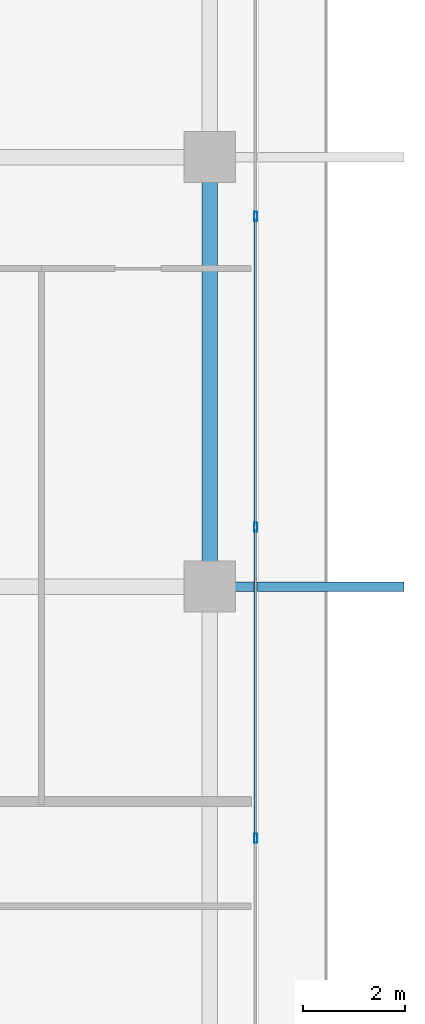
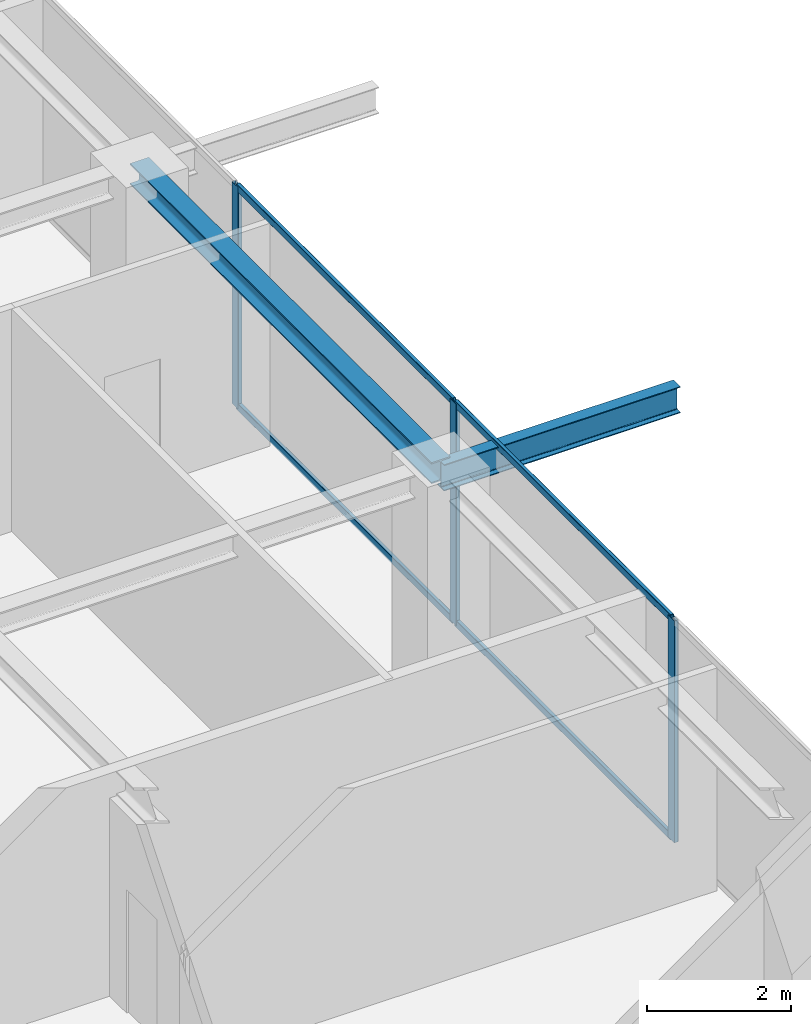
# One storey, part 14 of 37: 7 members, 2 beams, 1 element without a shape of its own.
"""IFC4 building model written with IfcOpenShell, lengths in metres."""

from ifc_helpers import new_model, si_unit, direction, frame, origin, origin_2d, place, context, subcontext, project, spatial, hollow_rectangle, i_section, extrude, source, transform, mapped, material, layer, layer_set, material_profile, profile_set, type_object, element, aggregate, save


model = new_model("IFC4")

# Units and contexts
model_context = context("Model", 3, precision=1e-05, world=origin(), true_north=direction((0.0, 1.0)))
body_context = subcontext(model_context, "Body", "Model", "MODEL_VIEW")
ifc_project = project(units=[si_unit("LENGTHUNIT", "METRE"), si_unit("AREAUNIT", "SQUARE_METRE"), si_unit("VOLUMEUNIT", "CUBIC_METRE"), si_unit("PLANEANGLEUNIT", "RADIAN"), si_unit("MASSUNIT", "GRAM", prefix="KILO")], contexts=[model_context])

# Site, building, storey
site_placement = place(None, origin())
site = spatial("IfcSite", under=ifc_project, at=site_placement, CompositionType="ELEMENT")
building_placement = place(site_placement, origin())
building = spatial("IfcBuilding", under=site, at=building_placement, Name="Serunith Strait Residences", CompositionType="ELEMENT")
storey_placement = place(building_placement, frame((0.0, 0.0, 305.60009765625)))
storey = spatial("IfcBuildingStorey", under=building, at=storey_placement, Name="L76", CompositionType="ELEMENT", Elevation=305.60009765625)

# Beams
ifc_material_1 = material(Name="Steel S355J2", Category="steel")
ifc_material_profile_1 = material_profile(ifc_material_1, i_section(OverallWidth=0.300048828125, OverallDepth=0.360107421875, WebThickness=0.012451171875, FlangeThickness=0.0224609375, FilletRadius=0.027099609375, at=origin_2d()), Name="HEB 360")
ifc_profile_set_1 = profile_set([ifc_material_profile_1], Name="Steel S355J2")
beam_type_1 = type_object("IfcBeamType", Name="BM-HEB360", PredefinedType="BEAM", material=ifc_profile_set_1)
shared_shape_1 = source(origin(), body_context, "Body", "SweptSolid", [
    extrude(i_section(OverallWidth=0.300048828125, OverallDepth=0.360107421875, WebThickness=0.012451171875, FlangeThickness=0.0224609375, FilletRadius=0.027099609375, at=origin_2d()), origin(), (0.0, 0.0, 1.0), 8.39990234375),
])
beam_1_placement = place(storey_placement, frame((54.699951171875, 21.0, 3.60693359375), z_axis=(0.0, 1.0, 0.0), x_axis=(-1.0, 0.0, 0.0)))
element("IfcBeam", 1, at=beam_1_placement, inside=storey, type_object=beam_type_1, Name="L76 Perimeter Ring Beam 06", PredefinedType="BEAM", context=body_context, shape_type="MappedRepresentation", body=[
    mapped(shared_shape_1, transform((0.0, 0.0, 0.0), scale=1.0)),
])
ifc_material_profile_2 = material_profile(ifc_material_1, i_section(OverallWidth=0.18994140625, OverallDepth=0.449951171875, WebThickness=0.009521484375, FlangeThickness=0.0146484375, FilletRadius=0.02099609375, at=origin_2d()), Name="IPE 450")
ifc_profile_set_2 = profile_set([ifc_material_profile_2], Name="Steel S355J2")
beam_type_2 = type_object("IfcBeamType", Name="BM-IPE450", PredefinedType="JOIST", material=ifc_profile_set_2)
shared_shape_2 = source(origin(), body_context, "Body", "SweptSolid", [
    extrude(i_section(OverallWidth=0.18994140625, OverallDepth=0.449951171875, WebThickness=0.009521484375, FlangeThickness=0.0146484375, FilletRadius=0.02099609375, at=origin_2d()), origin(), (0.0, 0.0, 1.0), 3.800048828125),
])
beam_2_placement = place(storey_placement, frame((54.699951171875, 21.0, 3.531982421875), z_axis=(1.0, 0.0, 0.0), x_axis=(0.0, 1.0, 0.0)))
element("IfcBeam", 2, at=beam_2_placement, inside=storey, type_object=beam_type_2, Name="L77 Cantilevered Balcony Rib TC-E2", PredefinedType="JOIST", context=body_context, shape_type="MappedRepresentation", body=[
    mapped(shared_shape_2, transform((0.0, 0.0, 0.0), scale=1.0)),
])

# Curtain wall, members
ifc_material_2 = material(Name="Brushed Stainless-Silver Aluminium", Category="aluminium")
ifc_layer = layer(ifc_material_2, 0.199951171875, Name="Brushed Stainless-Silver Aluminium")
ifc_layer_set = layer_set([ifc_layer], Name="Brushed Stainless-Silver Aluminium")
curtain_wall_type = type_object("IfcCurtainWallType", Name="CW-SYS5", PredefinedType="NOTDEFINED", material=ifc_layer_set)
curtain_wall_placement = place(storey_placement, origin())
curtain_wall = element("IfcCurtainWall", 3, at=curtain_wall_placement, inside=storey, type_object=curtain_wall_type, Name="L76 E Unitised Fritted Curtain Wall", PredefinedType="NOTDEFINED")
ifc_material_profile_3 = material_profile(ifc_material_2, hollow_rectangle(XDim=0.06005859375, YDim=0.1201171875, WallThickness=0.00341796875, InnerFilletRadius=0.00537109375, OuterFilletRadius=0.0087890625, at=origin_2d()), Name="ALU 120x60x3.5")
ifc_profile_set_3 = profile_set([ifc_material_profile_3], Name="Brushed Stainless-Silver Aluminium")
member_type_1 = type_object("IfcMemberType", Name="CW-SYS5-TRAN", PredefinedType="USERDEFINED", material=ifc_profile_set_3)
shared_shape_3 = source(origin(), body_context, "Body", "SweptSolid", [
    extrude(hollow_rectangle(XDim=0.06005859375, YDim=0.1201171875, WallThickness=0.00341796875, InnerFilletRadius=0.00537109375, OuterFilletRadius=0.0087890625, at=origin_2d()), origin(), (0.0, 0.0, 1.0), 6.01513671875),
])
member_1_placement = place(storey_placement, frame((55.60009765625, 22.1923828125, 0.02978515625), z_axis=(0.0, 1.0, 0.0), x_axis=(-1.0, 0.0, 0.0)))
member_1 = element("IfcMember", 4, at=member_1_placement, type_object=member_type_1, Name="CW-5 transom 3.1", ObjectType="TRANSOM", PredefinedType="USERDEFINED", context=body_context, shape_type="MappedRepresentation", body=[
    mapped(shared_shape_3, transform((0.0, 0.0, 0.0), scale=1.0)),
])
member_2_placement = place(storey_placement, frame((55.60009765625, 22.1923828125, 3.744873046875), z_axis=(0.0, 1.0, 0.0), x_axis=(-1.0, 0.0, 0.0)))
member_2 = element("IfcMember", 5, at=member_2_placement, type_object=member_type_1, Name="CW-5 transom 3.2", ObjectType="TRANSOM", PredefinedType="USERDEFINED", context=body_context, shape_type="MappedRepresentation", body=[
    mapped(shared_shape_3, transform((0.0, 0.0, 0.0), scale=1.0)),
])
shared_shape_4 = source(origin(), body_context, "Body", "SweptSolid", [
    extrude(hollow_rectangle(XDim=0.06005859375, YDim=0.1201171875, WallThickness=0.00341796875, InnerFilletRadius=0.00537109375, OuterFilletRadius=0.0087890625, at=origin_2d()), origin(), (0.0, 0.0, 1.0), 6.014892578125),
])
member_3_placement = place(storey_placement, frame((55.60009765625, 16.112548828125, 0.02978515625), z_axis=(0.0, 1.0, 0.0), x_axis=(-1.0, 0.0, 0.0)))
member_3 = element("IfcMember", 6, at=member_3_placement, type_object=member_type_1, Name="CW-5 transom 2.1", ObjectType="TRANSOM", PredefinedType="USERDEFINED", context=body_context, shape_type="MappedRepresentation", body=[
    mapped(shared_shape_4, transform((0.0, 0.0, 0.0), scale=1.0)),
])
member_4_placement = place(storey_placement, frame((55.60009765625, 16.112548828125, 3.744873046875), z_axis=(0.0, 1.0, 0.0), x_axis=(-1.0, 0.0, 0.0)))
member_4 = element("IfcMember", 7, at=member_4_placement, type_object=member_type_1, Name="CW-5 transom 2.2", ObjectType="TRANSOM", PredefinedType="USERDEFINED", context=body_context, shape_type="MappedRepresentation", body=[
    mapped(shared_shape_4, transform((0.0, 0.0, 0.0), scale=1.0)),
])
ifc_material_profile_4 = material_profile(ifc_material_2, hollow_rectangle(XDim=0.06494140625, YDim=0.179931640625, WallThickness=0.00341796875, InnerFilletRadius=0.00537109375, OuterFilletRadius=0.0087890625, at=origin_2d()), Name="ALU 180x65x3.5")
ifc_profile_set_4 = profile_set([ifc_material_profile_4], Name="Brushed Stainless-Silver Aluminium")
member_type_2 = type_object("IfcMemberType", Name="CW-SYS5-MULL", PredefinedType="MULLION", material=ifc_profile_set_4)
shared_shape_5 = source(origin(), body_context, "Body", "SweptSolid", [
    extrude(hollow_rectangle(XDim=0.06494140625, YDim=0.179931640625, WallThickness=0.00341796875, InnerFilletRadius=0.00537109375, OuterFilletRadius=0.0087890625, at=origin_2d()), origin(), (0.0, 0.0, 1.0), 3.77490234375),
])
member_5_placement = place(storey_placement, frame((55.60009765625, 16.080078125, 0.0), z_axis=(0.0, 0.0, 1.0), x_axis=(-1.0, 0.0, 0.0)))
member_5 = element("IfcMember", 8, at=member_5_placement, type_object=member_type_2, Name="CW-5 mullion 2", PredefinedType="MULLION", context=body_context, shape_type="MappedRepresentation", body=[
    mapped(shared_shape_5, transform((0.0, 0.0, 0.0), scale=1.0)),
])
member_6_placement = place(storey_placement, frame((55.60009765625, 22.159912109375, 0.0), z_axis=(0.0, 0.0, 1.0), x_axis=(-1.0, 0.0, 0.0)))
member_6 = element("IfcMember", 9, at=member_6_placement, type_object=member_type_2, Name="CW-5 mullion 3", PredefinedType="MULLION", context=body_context, shape_type="MappedRepresentation", body=[
    mapped(shared_shape_5, transform((0.0, 0.0, 0.0), scale=1.0)),
])
member_7_placement = place(storey_placement, frame((55.60009765625, 28.239990234375, 0.0), z_axis=(0.0, 0.0, 1.0), x_axis=(-1.0, 0.0, 0.0)))
member_7 = element("IfcMember", 10, at=member_7_placement, type_object=member_type_2, Name="CW-5 mullion 4", PredefinedType="MULLION", context=body_context, shape_type="MappedRepresentation", body=[
    mapped(shared_shape_5, transform((0.0, 0.0, 0.0), scale=1.0)),
])
aggregate(curtain_wall, [member_5, member_6, member_7, member_3, member_4, member_1, member_2])

save(model, "model.ifc")
